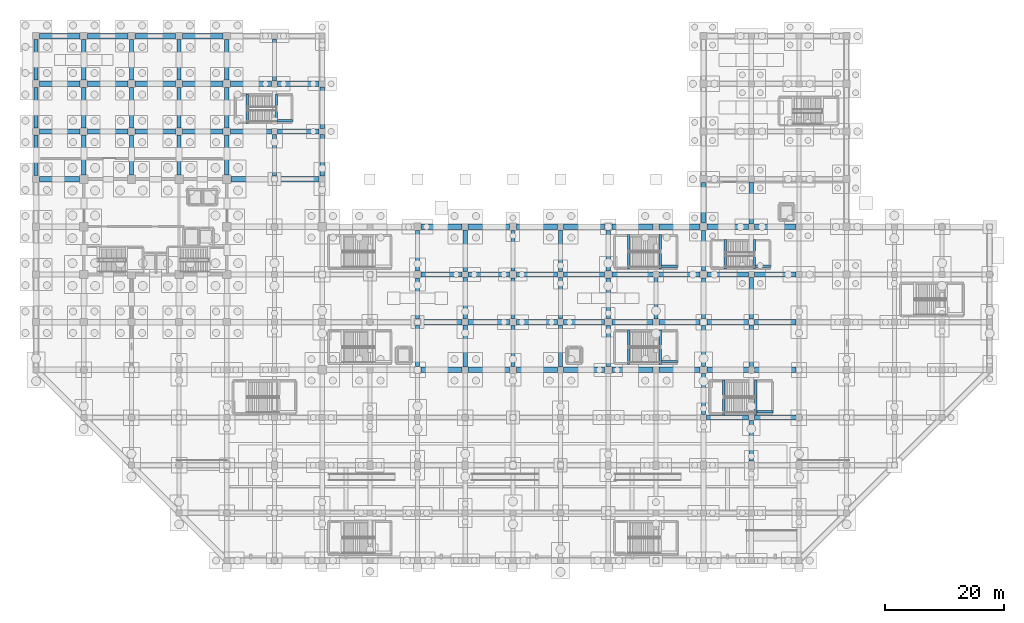
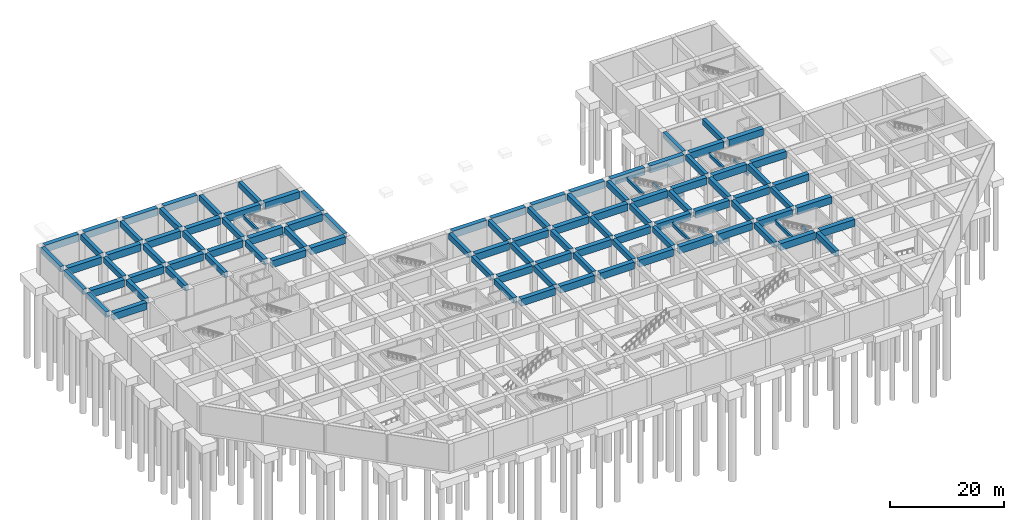
# One storey, part 12 of 26: 112 beams.
"""IFC4 building model written with IfcOpenShell, lengths in metres."""

from ifc_helpers import new_model, si_unit, direction, frame, origin, origin_2d, place, context, subcontext, project, spatial, rectangle, extrude, material, material_profile, profile_set, type_object, element, save


model = new_model("IFC4")

# Units and contexts
model_context = context("Model", 3, precision=1e-05, world=origin(), true_north=direction((0.0, 1.0)))
body_context = subcontext(model_context, "Body", "Model", "MODEL_VIEW")
ifc_project = project(units=[si_unit("LENGTHUNIT", "METRE"), si_unit("AREAUNIT", "SQUARE_METRE"), si_unit("VOLUMEUNIT", "CUBIC_METRE"), si_unit("PLANEANGLEUNIT", "RADIAN"), si_unit("MASSUNIT", "GRAM", prefix="KILO")], contexts=[model_context])

# Site, building, storey
site_placement = place(None, origin())
site = spatial("IfcSite", under=ifc_project, at=site_placement, CompositionType="ELEMENT")
building_placement = place(site_placement, origin())
building = spatial("IfcBuilding", under=site, at=building_placement, Name="Varnela Railside Interchange", CompositionType="ELEMENT")
storey_placement = place(building_placement, frame((0.0, 0.0, -12.60009765625)))
storey = spatial("IfcBuildingStorey", under=building, at=storey_placement, Name="B2", CompositionType="ELEMENT", Elevation=-12.60009765625)

# Beams
ifc_material_1 = material(Name="Concrete C40", Category="concrete")
ifc_material_profile_1 = material_profile(ifc_material_1, rectangle(XDim=0.39990234375, YDim=0.699951171875, at=origin_2d()), Name="RC 400x700")
ifc_profile_set_1 = profile_set([ifc_material_profile_1], Name="Concrete C40")
beam_type_1 = type_object("IfcBeamType", Name="Concrete Tie Beam B-01", PredefinedType="BEAM", material=ifc_profile_set_1)
for number, where, z_axis, x_axis, name in (
    (1, (119.60009765625, 54.919921875, 5.550048828125), (0.0, 1.0, 0.0), (-1.0, 0.0, 0.0), "Concrete Tie Beam B-01 (B2) (BM-0386)"),
    (2, (124.530029296875, 54.919921875, 2.64013671875), (0.0, 1.0, 0.0), (-1.0, 0.0, 0.0), "Concrete Tie Beam B-01 (B2) (BM-0372)"),
):
    element("IfcBeam", number, at=place(storey_placement, frame(where, z_axis=z_axis, x_axis=x_axis)), inside=storey, type_object=beam_type_1, Name=name, PredefinedType="BEAM", context=body_context, shape_type="SweptSolid", body=[
        extrude(rectangle(XDim=0.39990234375, YDim=0.699951171875, at=origin_2d()), origin(), (0.0, 0.0, 1.0), 4.9599609375),
    ])
beam_1_placement = place(storey_placement, frame((124.72998046875, 55.39990234375, 2.64013671875), z_axis=(1.0, 0.0, 0.0), x_axis=(0.0, 1.0, 0.0)))
element("IfcBeam", 3, at=beam_1_placement, inside=storey, type_object=beam_type_1, Name="Concrete Tie Beam B-01 (B2) (BM-0358)", PredefinedType="BEAM", context=body_context, shape_type="SweptSolid", body=[
    extrude(rectangle(XDim=0.39990234375, YDim=0.699951171875, at=origin_2d()), origin(), (0.0, 0.0, 1.0), 2.489990234375),
])
for number, where, z_axis, x_axis, name in (
    (4, (103.39990234375, 38.919921875, 5.550048828125), (0.0, 1.0, 0.0), (-1.0, 0.0, 0.0), "Concrete Tie Beam B-01 (B2) (BM-0383)"),
    (5, (108.7548828125, 38.919921875, 2.64013671875), (0.0, 1.0, 0.0), (-1.0, 0.0, 0.0), "Concrete Tie Beam B-01 (B2) (BM-0369)"),
):
    element("IfcBeam", number, at=place(storey_placement, frame(where, z_axis=z_axis, x_axis=x_axis)), inside=storey, type_object=beam_type_1, Name=name, PredefinedType="BEAM", context=body_context, shape_type="SweptSolid", body=[
        extrude(rectangle(XDim=0.39990234375, YDim=0.699951171875, at=origin_2d()), origin(), (0.0, 0.0, 1.0), 5.760009765625),
    ])
beam_2_placement = place(storey_placement, frame((108.955078125, 39.39990234375, 2.64013671875), z_axis=(1.0, 0.0, 0.0), x_axis=(0.0, 1.0, 0.0)))
element("IfcBeam", 6, at=beam_2_placement, inside=storey, type_object=beam_type_1, Name="Concrete Tie Beam B-01 (B2) (BM-0355)", PredefinedType="BEAM", context=body_context, shape_type="SweptSolid", body=[
    extrude(rectangle(XDim=0.39990234375, YDim=0.699951171875, at=origin_2d()), origin(), (0.0, 0.0, 1.0), 2.6650390625),
])
for number, where, z_axis, x_axis, name in (
    (7, (103.39990234375, 54.919921875, 5.550048828125), (0.0, 1.0, 0.0), (-1.0, 0.0, 0.0), "Concrete Tie Beam B-01 (B2) (BM-0385)"),
    (8, (108.7548828125, 54.919921875, 2.64013671875), (0.0, 1.0, 0.0), (-1.0, 0.0, 0.0), "Concrete Tie Beam B-01 (B2) (BM-0371)"),
):
    element("IfcBeam", number, at=place(storey_placement, frame(where, z_axis=z_axis, x_axis=x_axis)), inside=storey, type_object=beam_type_1, Name=name, PredefinedType="BEAM", context=body_context, shape_type="SweptSolid", body=[
        extrude(rectangle(XDim=0.39990234375, YDim=0.699951171875, at=origin_2d()), origin(), (0.0, 0.0, 1.0), 5.760009765625),
    ])
beam_3_placement = place(storey_placement, frame((108.955078125, 55.39990234375, 2.64013671875), z_axis=(1.0, 0.0, 0.0), x_axis=(0.0, 1.0, 0.0)))
element("IfcBeam", 9, at=beam_3_placement, inside=storey, type_object=beam_type_1, Name="Concrete Tie Beam B-01 (B2) (BM-0357)", PredefinedType="BEAM", context=body_context, shape_type="SweptSolid", body=[
    extrude(rectangle(XDim=0.39990234375, YDim=0.699951171875, at=origin_2d()), origin(), (0.0, 0.0, 1.0), 2.6650390625),
])
for number, where, z_axis, x_axis, name in (
    (10, (119.39990234375, 30.52001953125, 5.550048828125), (0.0, 1.0, 0.0), (-1.0, 0.0, 0.0), "Concrete Tie Beam B-01 (B2) (BM-0390)"),
    (11, (124.7548828125, 30.52001953125, 2.64013671875), (0.0, 1.0, 0.0), (-1.0, 0.0, 0.0), "Concrete Tie Beam B-01 (B2) (BM-0376)"),
):
    element("IfcBeam", number, at=place(storey_placement, frame(where, z_axis=z_axis, x_axis=x_axis)), inside=storey, type_object=beam_type_1, Name=name, PredefinedType="BEAM", context=body_context, shape_type="SweptSolid", body=[
        extrude(rectangle(XDim=0.39990234375, YDim=0.699951171875, at=origin_2d()), origin(), (0.0, 0.0, 1.0), 5.760009765625),
    ])
beam_4_placement = place(storey_placement, frame((124.955078125, 31.0, 2.64013671875), z_axis=(1.0, 0.0, 0.0), x_axis=(0.0, 1.0, 0.0)))
element("IfcBeam", 12, at=beam_4_placement, inside=storey, type_object=beam_type_1, Name="Concrete Tie Beam B-01 (B2) (BM-0362)", PredefinedType="BEAM", context=body_context, shape_type="SweptSolid", body=[
    extrude(rectangle(XDim=0.39990234375, YDim=0.699951171875, at=origin_2d()), origin(), (0.0, 0.0, 1.0), 2.6650390625),
])
for number, where, z_axis, x_axis, name in (
    (13, (39.39990234375, 79.320068359375, 5.550048828125), (0.0, 1.0, 0.0), (-1.0, 0.0, 0.0), "Concrete Tie Beam B-01 (B2) (BM-0394)"),
    (14, (44.330078125, 79.320068359375, 2.64013671875), (0.0, 1.0, 0.0), (-1.0, 0.0, 0.0), "Concrete Tie Beam B-01 (B2) (BM-0381)"),
):
    element("IfcBeam", number, at=place(storey_placement, frame(where, z_axis=z_axis, x_axis=x_axis)), inside=storey, type_object=beam_type_1, Name=name, PredefinedType="BEAM", context=body_context, shape_type="SweptSolid", body=[
        extrude(rectangle(XDim=0.39990234375, YDim=0.699951171875, at=origin_2d()), origin(), (0.0, 0.0, 1.0), 4.9599609375),
    ])
beam_5_placement = place(storey_placement, frame((44.530029296875, 79.800048828125, 2.64013671875), z_axis=(1.0, 0.0, 0.0), x_axis=(0.0, 1.0, 0.0)))
element("IfcBeam", 15, at=beam_5_placement, inside=storey, type_object=beam_type_1, Name="Concrete Tie Beam B-01 (B2) (BM-0367)", PredefinedType="BEAM", context=body_context, shape_type="SweptSolid", body=[
    extrude(rectangle(XDim=0.39990234375, YDim=0.699951171875, at=origin_2d()), origin(), (0.0, 0.0, 1.0), 2.489990234375),
])
ifc_material_2 = material(Name="Concrete C50", Category="concrete")
ifc_material_profile_2 = material_profile(ifc_material_2, rectangle(XDim=0.89990234375, YDim=1.5, at=origin_2d()), Name="RC 900x1500")
ifc_profile_set_2 = profile_set([ifc_material_profile_2], Name="Concrete C50")
beam_type_2 = type_object("IfcBeamType", Name="Metro Trackway Girder B-11", PredefinedType="BEAM", material=ifc_profile_set_2)
for number, where, z_axis, x_axis, name in (
    (16, (116.5, 30.0, 5.150146484375), (1.0, 0.0, 0.0), (0.0, 1.0, 0.0), "Metro Trackway Girder B-11 (B2) (BM-0068)"),
    (17, (124.5, 30.0, 5.150146484375), (1.0, 0.0, 0.0), (0.0, 1.0, 0.0), "Metro Trackway Girder B-11 (B2) (BM-0069)"),
):
    element("IfcBeam", number, at=place(storey_placement, frame(where, z_axis=z_axis, x_axis=x_axis)), inside=storey, type_object=beam_type_2, Name=name, PredefinedType="BEAM", context=body_context, shape_type="SweptSolid", body=[
        extrude(rectangle(XDim=0.89990234375, YDim=1.5, at=origin_2d()), origin(), (0.0, 0.0, 1.0), 7.0),
    ])
for number, where, z_axis, x_axis, name in (
    (18, (68.60009765625, 38.0, 5.150146484375), (1.0, 0.0, 0.0), (0.0, 1.0, 0.0), "Metro Trackway Girder B-11 (B2) (BM-0100)"),
    (19, (76.5, 38.0, 5.150146484375), (1.0, 0.0, 0.0), (0.0, 1.0, 0.0), "Metro Trackway Girder B-11 (B2) (BM-0101)"),
    (20, (84.60009765625, 38.0, 5.150146484375), (1.0, 0.0, 0.0), (0.0, 1.0, 0.0), "Metro Trackway Girder B-11 (B2) (BM-0102)"),
    (21, (92.5, 38.0, 5.150146484375), (1.0, 0.0, 0.0), (0.0, 1.0, 0.0), "Metro Trackway Girder B-11 (B2) (BM-0103)"),
    (22, (100.60009765625, 38.0, 5.150146484375), (1.0, 0.0, 0.0), (0.0, 1.0, 0.0), "Metro Trackway Girder B-11 (B2) (BM-0084)"),
    (23, (108.5, 38.0, 5.150146484375), (1.0, 0.0, 0.0), (0.0, 1.0, 0.0), "Metro Trackway Girder B-11 (B2) (BM-0085)"),
    (24, (116.60009765625, 38.0, 5.150146484375), (1.0, 0.0, 0.0), (0.0, 1.0, 0.0), "Metro Trackway Girder B-11 (B2) (BM-0086)"),
):
    element("IfcBeam", number, at=place(storey_placement, frame(where, z_axis=z_axis, x_axis=x_axis)), inside=storey, type_object=beam_type_2, Name=name, PredefinedType="BEAM", context=body_context, shape_type="SweptSolid", body=[
        extrude(rectangle(XDim=0.89990234375, YDim=1.5, at=origin_2d()), origin(), (0.0, 0.0, 1.0), 6.89990234375),
    ])
beam_6_placement = place(storey_placement, frame((124.5, 38.0, 5.150146484375), z_axis=(1.0, 0.0, 0.0), x_axis=(0.0, 1.0, 0.0)))
element("IfcBeam", 25, at=beam_6_placement, inside=storey, type_object=beam_type_2, Name="Metro Trackway Girder B-11 (B2) (BM-0087)", PredefinedType="BEAM", context=body_context, shape_type="SweptSolid", body=[
    extrude(rectangle(XDim=0.89990234375, YDim=1.5, at=origin_2d()), origin(), (0.0, 0.0, 1.0), 7.0),
])
for number, where, z_axis, x_axis, name in (
    (26, (68.60009765625, 46.0, 5.150146484375), (1.0, 0.0, 0.0), (0.0, 1.0, 0.0), "Metro Trackway Girder B-11 (B2) (BM-0120)"),
    (27, (76.5, 46.0, 5.150146484375), (1.0, 0.0, 0.0), (0.0, 1.0, 0.0), "Metro Trackway Girder B-11 (B2) (BM-0121)"),
    (28, (84.60009765625, 46.0, 5.150146484375), (1.0, 0.0, 0.0), (0.0, 1.0, 0.0), "Metro Trackway Girder B-11 (B2) (BM-0122)"),
    (29, (92.5, 46.0, 5.150146484375), (1.0, 0.0, 0.0), (0.0, 1.0, 0.0), "Metro Trackway Girder B-11 (B2) (BM-0123)"),
    (30, (100.60009765625, 46.0, 5.150146484375), (1.0, 0.0, 0.0), (0.0, 1.0, 0.0), "Metro Trackway Girder B-11 (B2) (BM-0104)"),
    (31, (108.5, 46.0, 5.150146484375), (1.0, 0.0, 0.0), (0.0, 1.0, 0.0), "Metro Trackway Girder B-11 (B2) (BM-0105)"),
    (32, (116.60009765625, 46.0, 5.150146484375), (1.0, 0.0, 0.0), (0.0, 1.0, 0.0), "Metro Trackway Girder B-11 (B2) (BM-0106)"),
):
    element("IfcBeam", number, at=place(storey_placement, frame(where, z_axis=z_axis, x_axis=x_axis)), inside=storey, type_object=beam_type_2, Name=name, PredefinedType="BEAM", context=body_context, shape_type="SweptSolid", body=[
        extrude(rectangle(XDim=0.89990234375, YDim=1.5, at=origin_2d()), origin(), (0.0, 0.0, 1.0), 6.89990234375),
    ])
beam_7_placement = place(storey_placement, frame((124.5, 46.0, 5.150146484375), z_axis=(1.0, 0.0, 0.0), x_axis=(0.0, 1.0, 0.0)))
element("IfcBeam", 33, at=beam_7_placement, inside=storey, type_object=beam_type_2, Name="Metro Trackway Girder B-11 (B2) (BM-0107)", PredefinedType="BEAM", context=body_context, shape_type="SweptSolid", body=[
    extrude(rectangle(XDim=0.89990234375, YDim=1.5, at=origin_2d()), origin(), (0.0, 0.0, 1.0), 7.0),
])
for number, where, z_axis, x_axis, name in (
    (34, (68.60009765625, 54.0, 5.150146484375), (1.0, 0.0, 0.0), (0.0, 1.0, 0.0), "Metro Trackway Girder B-11 (B2) (BM-0137)"),
    (35, (76.5, 54.0, 5.150146484375), (1.0, 0.0, 0.0), (0.0, 1.0, 0.0), "Metro Trackway Girder B-11 (B2) (BM-0138)"),
    (36, (84.60009765625, 54.0, 5.150146484375), (1.0, 0.0, 0.0), (0.0, 1.0, 0.0), "Metro Trackway Girder B-11 (B2) (BM-0139)"),
    (37, (92.5, 54.0, 5.150146484375), (1.0, 0.0, 0.0), (0.0, 1.0, 0.0), "Metro Trackway Girder B-11 (B2) (BM-0140)"),
    (38, (100.60009765625, 54.0, 5.150146484375), (1.0, 0.0, 0.0), (0.0, 1.0, 0.0), "Metro Trackway Girder B-11 (B2) (BM-0124)"),
    (39, (108.5, 54.0, 5.150146484375), (1.0, 0.0, 0.0), (0.0, 1.0, 0.0), "Metro Trackway Girder B-11 (B2) (BM-0125)"),
    (40, (116.60009765625, 54.0, 5.150146484375), (1.0, 0.0, 0.0), (0.0, 1.0, 0.0), "Metro Trackway Girder B-11 (B2) (BM-0126)"),
):
    element("IfcBeam", number, at=place(storey_placement, frame(where, z_axis=z_axis, x_axis=x_axis)), inside=storey, type_object=beam_type_2, Name=name, PredefinedType="BEAM", context=body_context, shape_type="SweptSolid", body=[
        extrude(rectangle(XDim=0.89990234375, YDim=1.5, at=origin_2d()), origin(), (0.0, 0.0, 1.0), 6.89990234375),
    ])
beam_8_placement = place(storey_placement, frame((124.5, 54.0, 5.150146484375), z_axis=(1.0, 0.0, 0.0), x_axis=(0.0, 1.0, 0.0)))
element("IfcBeam", 41, at=beam_8_placement, inside=storey, type_object=beam_type_2, Name="Metro Trackway Girder B-11 (B2) (BM-0127)", PredefinedType="BEAM", context=body_context, shape_type="SweptSolid", body=[
    extrude(rectangle(XDim=0.89990234375, YDim=1.5, at=origin_2d()), origin(), (0.0, 0.0, 1.0), 7.0),
])
for number, where, z_axis, x_axis, name in (
    (42, (68.60009765625, 62.0, 5.150146484375), (1.0, 0.0, 0.0), (0.0, 1.0, 0.0), "Metro Trackway Girder B-11 (B2) (BM-0154)"),
    (43, (76.5, 62.0, 5.150146484375), (1.0, 0.0, 0.0), (0.0, 1.0, 0.0), "Metro Trackway Girder B-11 (B2) (BM-0155)"),
    (44, (84.60009765625, 62.0, 5.150146484375), (1.0, 0.0, 0.0), (0.0, 1.0, 0.0), "Metro Trackway Girder B-11 (B2) (BM-0156)"),
    (45, (92.5, 62.0, 5.150146484375), (1.0, 0.0, 0.0), (0.0, 1.0, 0.0), "Metro Trackway Girder B-11 (B2) (BM-0157)"),
    (46, (100.60009765625, 62.0, 5.150146484375), (1.0, 0.0, 0.0), (0.0, 1.0, 0.0), "Metro Trackway Girder B-11 (B2) (BM-0141)"),
    (47, (108.5, 62.0, 5.150146484375), (1.0, 0.0, 0.0), (0.0, 1.0, 0.0), "Metro Trackway Girder B-11 (B2) (BM-0142)"),
    (48, (116.60009765625, 62.0, 5.150146484375), (1.0, 0.0, 0.0), (0.0, 1.0, 0.0), "Metro Trackway Girder B-11 (B2) (BM-0143)"),
):
    element("IfcBeam", number, at=place(storey_placement, frame(where, z_axis=z_axis, x_axis=x_axis)), inside=storey, type_object=beam_type_2, Name=name, PredefinedType="BEAM", context=body_context, shape_type="SweptSolid", body=[
        extrude(rectangle(XDim=0.89990234375, YDim=1.5, at=origin_2d()), origin(), (0.0, 0.0, 1.0), 6.89990234375),
    ])
beam_9_placement = place(storey_placement, frame((124.5, 62.0, 5.150146484375), z_axis=(1.0, 0.0, 0.0), x_axis=(0.0, 1.0, 0.0)))
element("IfcBeam", 49, at=beam_9_placement, inside=storey, type_object=beam_type_2, Name="Metro Trackway Girder B-11 (B2) (BM-0144)", PredefinedType="BEAM", context=body_context, shape_type="SweptSolid", body=[
    extrude(rectangle(XDim=0.89990234375, YDim=1.5, at=origin_2d()), origin(), (0.0, 0.0, 1.0), 7.0),
])
beam_10_placement = place(storey_placement, frame((4.60009765625, 70.0, 5.150146484375), z_axis=(1.0, 0.0, 0.0), x_axis=(0.0, 1.0, 0.0)))
element("IfcBeam", 50, at=beam_10_placement, inside=storey, type_object=beam_type_2, Name="Metro Trackway Girder B-11 (B2) (BM-0163)", PredefinedType="BEAM", context=body_context, shape_type="SweptSolid", body=[
    extrude(rectangle(XDim=0.89990234375, YDim=1.5, at=origin_2d()), origin(), (0.0, 0.0, 1.0), 6.699951171875),
])
beam_11_placement = place(storey_placement, frame((36.699951171875, 70.0, 5.150146484375), z_axis=(1.0, 0.0, 0.0), x_axis=(0.0, 1.0, 0.0)))
element("IfcBeam", 51, at=beam_11_placement, inside=storey, type_object=beam_type_2, Name="Metro Trackway Girder B-11 (B2) (BM-0161)", PredefinedType="BEAM", context=body_context, shape_type="SweptSolid", body=[
    extrude(rectangle(XDim=0.89990234375, YDim=1.5, at=origin_2d()), origin(), (0.0, 0.0, 1.0), 6.800048828125),
])
beam_12_placement = place(storey_placement, frame((44.5, 70.0, 5.150146484375), z_axis=(1.0, 0.0, 0.0), x_axis=(0.0, 1.0, 0.0)))
element("IfcBeam", 52, at=beam_12_placement, inside=storey, type_object=beam_type_2, Name="Metro Trackway Girder B-11 (B2) (BM-0162)", PredefinedType="BEAM", context=body_context, shape_type="SweptSolid", body=[
    extrude(rectangle(XDim=0.89990234375, YDim=1.5, at=origin_2d()), origin(), (0.0, 0.0, 1.0), 7.0),
])
for number, where, z_axis, x_axis, name in (
    (53, (4.60009765625, 78.0, 5.150146484375), (1.0, 0.0, 0.0), (0.0, 1.0, 0.0), "Metro Trackway Girder B-11 (B2) (BM-0172)"),
    (54, (12.60009765625, 78.0, 5.150146484375), (1.0, 0.0, 0.0), (0.0, 1.0, 0.0), "Metro Trackway Girder B-11 (B2) (BM-0166)"),
    (55, (20.60009765625, 78.0, 5.150146484375), (1.0, 0.0, 0.0), (0.0, 1.0, 0.0), "Metro Trackway Girder B-11 (B2) (BM-0168)"),
    (56, (28.60009765625, 78.0, 5.150146484375), (1.0, 0.0, 0.0), (0.0, 1.0, 0.0), "Metro Trackway Girder B-11 (B2) (BM-0169)"),
):
    element("IfcBeam", number, at=place(storey_placement, frame(where, z_axis=z_axis, x_axis=x_axis)), inside=storey, type_object=beam_type_2, Name=name, PredefinedType="BEAM", context=body_context, shape_type="SweptSolid", body=[
        extrude(rectangle(XDim=0.89990234375, YDim=1.5, at=origin_2d()), origin(), (0.0, 0.0, 1.0), 6.7998046875),
    ])
beam_13_placement = place(storey_placement, frame((36.60009765625, 78.0, 5.150146484375), z_axis=(1.0, 0.0, 0.0), x_axis=(0.0, 1.0, 0.0)))
element("IfcBeam", 57, at=beam_13_placement, inside=storey, type_object=beam_type_2, Name="Metro Trackway Girder B-11 (B2) (BM-0170)", PredefinedType="BEAM", context=body_context, shape_type="SweptSolid", body=[
    extrude(rectangle(XDim=0.89990234375, YDim=1.5, at=origin_2d()), origin(), (0.0, 0.0, 1.0), 6.89990234375),
])
beam_14_placement = place(storey_placement, frame((44.5, 78.0, 5.150146484375), z_axis=(1.0, 0.0, 0.0), x_axis=(0.0, 1.0, 0.0)))
element("IfcBeam", 58, at=beam_14_placement, inside=storey, type_object=beam_type_2, Name="Metro Trackway Girder B-11 (B2) (BM-0171)", PredefinedType="BEAM", context=body_context, shape_type="SweptSolid", body=[
    extrude(rectangle(XDim=0.89990234375, YDim=1.5, at=origin_2d()), origin(), (0.0, 0.0, 1.0), 7.0),
])
for number, where, z_axis, x_axis, name in (
    (59, (4.60009765625, 86.0, 5.150146484375), (1.0, 0.0, 0.0), (0.0, 1.0, 0.0), "Metro Trackway Girder B-11 (B2) (BM-0181)"),
    (60, (12.60009765625, 86.0, 5.150146484375), (1.0, 0.0, 0.0), (0.0, 1.0, 0.0), "Metro Trackway Girder B-11 (B2) (BM-0175)"),
    (61, (20.60009765625, 86.0, 5.150146484375), (1.0, 0.0, 0.0), (0.0, 1.0, 0.0), "Metro Trackway Girder B-11 (B2) (BM-0177)"),
    (62, (28.60009765625, 86.0, 5.150146484375), (1.0, 0.0, 0.0), (0.0, 1.0, 0.0), "Metro Trackway Girder B-11 (B2) (BM-0178)"),
):
    element("IfcBeam", number, at=place(storey_placement, frame(where, z_axis=z_axis, x_axis=x_axis)), inside=storey, type_object=beam_type_2, Name=name, PredefinedType="BEAM", context=body_context, shape_type="SweptSolid", body=[
        extrude(rectangle(XDim=0.89990234375, YDim=1.5, at=origin_2d()), origin(), (0.0, 0.0, 1.0), 6.7998046875),
    ])
beam_15_placement = place(storey_placement, frame((36.60009765625, 86.0, 5.150146484375), z_axis=(1.0, 0.0, 0.0), x_axis=(0.0, 1.0, 0.0)))
element("IfcBeam", 63, at=beam_15_placement, inside=storey, type_object=beam_type_2, Name="Metro Trackway Girder B-11 (B2) (BM-0179)", PredefinedType="BEAM", context=body_context, shape_type="SweptSolid", body=[
    extrude(rectangle(XDim=0.89990234375, YDim=1.5, at=origin_2d()), origin(), (0.0, 0.0, 1.0), 6.89990234375),
])
beam_16_placement = place(storey_placement, frame((44.5, 86.0, 5.150146484375), z_axis=(1.0, 0.0, 0.0), x_axis=(0.0, 1.0, 0.0)))
element("IfcBeam", 64, at=beam_16_placement, inside=storey, type_object=beam_type_2, Name="Metro Trackway Girder B-11 (B2) (BM-0180)", PredefinedType="BEAM", context=body_context, shape_type="SweptSolid", body=[
    extrude(rectangle(XDim=0.89990234375, YDim=1.5, at=origin_2d()), origin(), (0.0, 0.0, 1.0), 7.0),
])
for number, where, z_axis, x_axis, name in (
    (65, (4.60009765625, 94.0, 5.150146484375), (1.0, 0.0, 0.0), (0.0, 1.0, 0.0), "Metro Trackway Girder B-11 (B2) (BM-0190)"),
    (66, (12.60009765625, 94.0, 5.150146484375), (1.0, 0.0, 0.0), (0.0, 1.0, 0.0), "Metro Trackway Girder B-11 (B2) (BM-0184)"),
    (67, (20.60009765625, 94.0, 5.150146484375), (1.0, 0.0, 0.0), (0.0, 1.0, 0.0), "Metro Trackway Girder B-11 (B2) (BM-0186)"),
    (68, (28.60009765625, 94.0, 5.150146484375), (1.0, 0.0, 0.0), (0.0, 1.0, 0.0), "Metro Trackway Girder B-11 (B2) (BM-0187)"),
):
    element("IfcBeam", number, at=place(storey_placement, frame(where, z_axis=z_axis, x_axis=x_axis)), inside=storey, type_object=beam_type_2, Name=name, PredefinedType="BEAM", context=body_context, shape_type="SweptSolid", body=[
        extrude(rectangle(XDim=0.89990234375, YDim=1.5, at=origin_2d()), origin(), (0.0, 0.0, 1.0), 6.7998046875),
    ])
ifc_material_profile_3 = material_profile(ifc_material_2, rectangle(XDim=0.699951171875, YDim=1.199951171875, at=origin_2d()), Name="RC 700x1200")
ifc_profile_set_3 = profile_set([ifc_material_profile_3], Name="Concrete C50")
beam_type_3 = type_object("IfcBeamType", Name="Station Box Main Girder B-08", PredefinedType="BEAM", material=ifc_profile_set_3)
for number, where, z_axis, x_axis, name in (
    (69, (4.0, 70.60009765625, 5.300048828125), (0.0, 1.0, 0.0), (-1.0, 0.0, 0.0), "Station Box Main Girder B-08 (B2) (BM-0270)"),
    (70, (4.0, 78.60009765625, 5.300048828125), (0.0, 1.0, 0.0), (-1.0, 0.0, 0.0), "Station Box Main Girder B-08 (B2) (BM-0271)"),
    (71, (4.0, 86.60009765625, 5.300048828125), (0.0, 1.0, 0.0), (-1.0, 0.0, 0.0), "Station Box Main Girder B-08 (B2) (BM-0272)"),
):
    element("IfcBeam", number, at=place(storey_placement, frame(where, z_axis=z_axis, x_axis=x_axis)), inside=storey, type_object=beam_type_3, Name=name, PredefinedType="BEAM", context=body_context, shape_type="SweptSolid", body=[
        extrude(rectangle(XDim=0.699951171875, YDim=1.199951171875, at=origin_2d()), origin(), (0.0, 0.0, 1.0), 6.7998046875),
    ])
beam_17_placement = place(storey_placement, frame((12.0, 70.699951171875, 5.300048828125), z_axis=(0.0, 1.0, 0.0), x_axis=(-1.0, 0.0, 0.0)))
element("IfcBeam", 72, at=beam_17_placement, inside=storey, type_object=beam_type_3, Name="Station Box Main Girder B-08 (B2) (BM-0282)", PredefinedType="BEAM", context=body_context, shape_type="SweptSolid", body=[
    extrude(rectangle(XDim=0.699951171875, YDim=1.199951171875, at=origin_2d()), origin(), (0.0, 0.0, 1.0), 6.699951171875),
])
for number, where, z_axis, x_axis, name in (
    (73, (12.0, 78.60009765625, 5.300048828125), (0.0, 1.0, 0.0), (-1.0, 0.0, 0.0), "Station Box Main Girder B-08 (B2) (BM-0283)"),
    (74, (12.0, 86.60009765625, 5.300048828125), (0.0, 1.0, 0.0), (-1.0, 0.0, 0.0), "Station Box Main Girder B-08 (B2) (BM-0284)"),
):
    element("IfcBeam", number, at=place(storey_placement, frame(where, z_axis=z_axis, x_axis=x_axis)), inside=storey, type_object=beam_type_3, Name=name, PredefinedType="BEAM", context=body_context, shape_type="SweptSolid", body=[
        extrude(rectangle(XDim=0.699951171875, YDim=1.199951171875, at=origin_2d()), origin(), (0.0, 0.0, 1.0), 6.7998046875),
    ])
beam_18_placement = place(storey_placement, frame((20.0, 70.699951171875, 5.300048828125), z_axis=(0.0, 1.0, 0.0), x_axis=(-1.0, 0.0, 0.0)))
element("IfcBeam", 75, at=beam_18_placement, inside=storey, type_object=beam_type_3, Name="Station Box Main Girder B-08 (B2) (BM-0289)", PredefinedType="BEAM", context=body_context, shape_type="SweptSolid", body=[
    extrude(rectangle(XDim=0.699951171875, YDim=1.199951171875, at=origin_2d()), origin(), (0.0, 0.0, 1.0), 6.699951171875),
])
for number, where, z_axis, x_axis, name in (
    (76, (20.0, 78.60009765625, 5.300048828125), (0.0, 1.0, 0.0), (-1.0, 0.0, 0.0), "Station Box Main Girder B-08 (B2) (BM-0290)"),
    (77, (20.0, 86.60009765625, 5.300048828125), (0.0, 1.0, 0.0), (-1.0, 0.0, 0.0), "Station Box Main Girder B-08 (B2) (BM-0291)"),
):
    element("IfcBeam", number, at=place(storey_placement, frame(where, z_axis=z_axis, x_axis=x_axis)), inside=storey, type_object=beam_type_3, Name=name, PredefinedType="BEAM", context=body_context, shape_type="SweptSolid", body=[
        extrude(rectangle(XDim=0.699951171875, YDim=1.199951171875, at=origin_2d()), origin(), (0.0, 0.0, 1.0), 6.7998046875),
    ])
beam_19_placement = place(storey_placement, frame((28.0, 70.699951171875, 5.300048828125), z_axis=(0.0, 1.0, 0.0), x_axis=(-1.0, 0.0, 0.0)))
element("IfcBeam", 78, at=beam_19_placement, inside=storey, type_object=beam_type_3, Name="Station Box Main Girder B-08 (B2) (BM-0298)", PredefinedType="BEAM", context=body_context, shape_type="SweptSolid", body=[
    extrude(rectangle(XDim=0.699951171875, YDim=1.199951171875, at=origin_2d()), origin(), (0.0, 0.0, 1.0), 6.699951171875),
])
for number, where, z_axis, x_axis, name in (
    (79, (28.0, 78.60009765625, 5.300048828125), (0.0, 1.0, 0.0), (-1.0, 0.0, 0.0), "Station Box Main Girder B-08 (B2) (BM-0299)"),
    (80, (28.0, 86.60009765625, 5.300048828125), (0.0, 1.0, 0.0), (-1.0, 0.0, 0.0), "Station Box Main Girder B-08 (B2) (BM-0300)"),
):
    element("IfcBeam", number, at=place(storey_placement, frame(where, z_axis=z_axis, x_axis=x_axis)), inside=storey, type_object=beam_type_3, Name=name, PredefinedType="BEAM", context=body_context, shape_type="SweptSolid", body=[
        extrude(rectangle(XDim=0.699951171875, YDim=1.199951171875, at=origin_2d()), origin(), (0.0, 0.0, 1.0), 6.7998046875),
    ])
beam_20_placement = place(storey_placement, frame((36.0, 70.699951171875, 5.300048828125), z_axis=(0.0, 1.0, 0.0), x_axis=(-1.0, 0.0, 0.0)))
element("IfcBeam", 81, at=beam_20_placement, inside=storey, type_object=beam_type_3, Name="Station Box Main Girder B-08 (B2) (BM-0307)", PredefinedType="BEAM", context=body_context, shape_type="SweptSolid", body=[
    extrude(rectangle(XDim=0.699951171875, YDim=1.199951171875, at=origin_2d()), origin(), (0.0, 0.0, 1.0), 6.699951171875),
])
for number, where, z_axis, x_axis, name in (
    (82, (36.0, 78.60009765625, 5.300048828125), (0.0, 1.0, 0.0), (-1.0, 0.0, 0.0), "Station Box Main Girder B-08 (B2) (BM-0308)"),
    (83, (36.0, 86.60009765625, 5.300048828125), (0.0, 1.0, 0.0), (-1.0, 0.0, 0.0), "Station Box Main Girder B-08 (B2) (BM-0309)"),
):
    element("IfcBeam", number, at=place(storey_placement, frame(where, z_axis=z_axis, x_axis=x_axis)), inside=storey, type_object=beam_type_3, Name=name, PredefinedType="BEAM", context=body_context, shape_type="SweptSolid", body=[
        extrude(rectangle(XDim=0.699951171875, YDim=1.199951171875, at=origin_2d()), origin(), (0.0, 0.0, 1.0), 6.7998046875),
    ])
for number, where, z_axis, x_axis, name in (
    (84, (44.0, 70.5, 5.300048828125), (0.0, 1.0, 0.0), (-1.0, 0.0, 0.0), "Station Box Main Girder B-08 (B2) (BM-0317)"),
    (85, (44.0, 86.5, 5.300048828125), (0.0, 1.0, 0.0), (-1.0, 0.0, 0.0), "Station Box Main Girder B-08 (B2) (BM-0318)"),
    (86, (52.0, 70.5, 5.300048828125), (0.0, 1.0, 0.0), (-1.0, 0.0, 0.0), "Station Box Main Girder B-08 (B2) (BM-0327)"),
    (87, (52.0, 78.5, 5.300048828125), (0.0, 1.0, 0.0), (-1.0, 0.0, 0.0), "Station Box Main Girder B-08 (B2) (BM-0328)"),
):
    element("IfcBeam", number, at=place(storey_placement, frame(where, z_axis=z_axis, x_axis=x_axis)), inside=storey, type_object=beam_type_3, Name=name, PredefinedType="BEAM", context=body_context, shape_type="SweptSolid", body=[
        extrude(rectangle(XDim=0.699951171875, YDim=1.199951171875, at=origin_2d()), origin(), (0.0, 0.0, 1.0), 7.0),
    ])
for number, where, z_axis, x_axis, name in (
    (88, (68.0, 38.60009765625, 5.300048828125), (0.0, 1.0, 0.0), (-1.0, 0.0, 0.0), "Station Box Main Girder B-08 (B2) (BM-0336)"),
    (89, (68.0, 46.60009765625, 5.300048828125), (0.0, 1.0, 0.0), (-1.0, 0.0, 0.0), "Station Box Main Girder B-08 (B2) (BM-0337)"),
    (90, (68.0, 54.60009765625, 5.300048828125), (0.0, 1.0, 0.0), (-1.0, 0.0, 0.0), "Station Box Main Girder B-08 (B2) (BM-0338)"),
):
    element("IfcBeam", number, at=place(storey_placement, frame(where, z_axis=z_axis, x_axis=x_axis)), inside=storey, type_object=beam_type_3, Name=name, PredefinedType="BEAM", context=body_context, shape_type="SweptSolid", body=[
        extrude(rectangle(XDim=0.699951171875, YDim=1.199951171875, at=origin_2d()), origin(), (0.0, 0.0, 1.0), 6.7998046875),
    ])
for number, where, z_axis, x_axis, name in (
    (91, (76.0, 38.5, 5.300048828125), (0.0, 1.0, 0.0), (-1.0, 0.0, 0.0), "Station Box Main Girder B-08 (B2) (BM-0194)"),
    (92, (76.0, 46.5, 5.300048828125), (0.0, 1.0, 0.0), (-1.0, 0.0, 0.0), "Station Box Main Girder B-08 (B2) (BM-0195)"),
    (93, (76.0, 54.5, 5.300048828125), (0.0, 1.0, 0.0), (-1.0, 0.0, 0.0), "Station Box Main Girder B-08 (B2) (BM-0196)"),
):
    element("IfcBeam", number, at=place(storey_placement, frame(where, z_axis=z_axis, x_axis=x_axis)), inside=storey, type_object=beam_type_3, Name=name, PredefinedType="BEAM", context=body_context, shape_type="SweptSolid", body=[
        extrude(rectangle(XDim=0.699951171875, YDim=1.199951171875, at=origin_2d()), origin(), (0.0, 0.0, 1.0), 7.0),
    ])
for number, where, z_axis, x_axis, name in (
    (94, (84.0, 38.60009765625, 5.300048828125), (0.0, 1.0, 0.0), (-1.0, 0.0, 0.0), "Station Box Main Girder B-08 (B2) (BM-0200)"),
    (95, (84.0, 46.60009765625, 5.300048828125), (0.0, 1.0, 0.0), (-1.0, 0.0, 0.0), "Station Box Main Girder B-08 (B2) (BM-0201)"),
    (96, (84.0, 54.60009765625, 5.300048828125), (0.0, 1.0, 0.0), (-1.0, 0.0, 0.0), "Station Box Main Girder B-08 (B2) (BM-0202)"),
):
    element("IfcBeam", number, at=place(storey_placement, frame(where, z_axis=z_axis, x_axis=x_axis)), inside=storey, type_object=beam_type_3, Name=name, PredefinedType="BEAM", context=body_context, shape_type="SweptSolid", body=[
        extrude(rectangle(XDim=0.699951171875, YDim=1.199951171875, at=origin_2d()), origin(), (0.0, 0.0, 1.0), 6.7998046875),
    ])
for number, where, z_axis, x_axis, name in (
    (97, (92.0, 38.5, 5.300048828125), (0.0, 1.0, 0.0), (-1.0, 0.0, 0.0), "Station Box Main Girder B-08 (B2) (BM-0207)"),
    (98, (92.0, 46.5, 5.300048828125), (0.0, 1.0, 0.0), (-1.0, 0.0, 0.0), "Station Box Main Girder B-08 (B2) (BM-0208)"),
    (99, (92.0, 54.5, 5.300048828125), (0.0, 1.0, 0.0), (-1.0, 0.0, 0.0), "Station Box Main Girder B-08 (B2) (BM-0209)"),
):
    element("IfcBeam", number, at=place(storey_placement, frame(where, z_axis=z_axis, x_axis=x_axis)), inside=storey, type_object=beam_type_3, Name=name, PredefinedType="BEAM", context=body_context, shape_type="SweptSolid", body=[
        extrude(rectangle(XDim=0.699951171875, YDim=1.199951171875, at=origin_2d()), origin(), (0.0, 0.0, 1.0), 7.0),
    ])
for number, where, z_axis, x_axis, name in (
    (100, (100.0, 38.60009765625, 5.300048828125), (0.0, 1.0, 0.0), (-1.0, 0.0, 0.0), "Station Box Main Girder B-08 (B2) (BM-0214)"),
    (101, (100.0, 46.60009765625, 5.300048828125), (0.0, 1.0, 0.0), (-1.0, 0.0, 0.0), "Station Box Main Girder B-08 (B2) (BM-0215)"),
    (102, (100.0, 54.60009765625, 5.300048828125), (0.0, 1.0, 0.0), (-1.0, 0.0, 0.0), "Station Box Main Girder B-08 (B2) (BM-0216)"),
):
    element("IfcBeam", number, at=place(storey_placement, frame(where, z_axis=z_axis, x_axis=x_axis)), inside=storey, type_object=beam_type_3, Name=name, PredefinedType="BEAM", context=body_context, shape_type="SweptSolid", body=[
        extrude(rectangle(XDim=0.699951171875, YDim=1.199951171875, at=origin_2d()), origin(), (0.0, 0.0, 1.0), 6.7998046875),
    ])
beam_21_placement = place(storey_placement, frame((108.0, 46.5, 5.300048828125), z_axis=(0.0, 1.0, 0.0), x_axis=(-1.0, 0.0, 0.0)))
element("IfcBeam", 103, at=beam_21_placement, inside=storey, type_object=beam_type_3, Name="Station Box Main Girder B-08 (B2) (BM-0220)", PredefinedType="BEAM", context=body_context, shape_type="SweptSolid", body=[
    extrude(rectangle(XDim=0.699951171875, YDim=1.199951171875, at=origin_2d()), origin(), (0.0, 0.0, 1.0), 7.0),
])
beam_22_placement = place(storey_placement, frame((116.0, 30.5, 5.300048828125), z_axis=(0.0, 1.0, 0.0), x_axis=(-1.0, 0.0, 0.0)))
element("IfcBeam", 104, at=beam_22_placement, inside=storey, type_object=beam_type_3, Name="Station Box Main Girder B-08 (B2) (BM-0223)", PredefinedType="BEAM", context=body_context, shape_type="SweptSolid", body=[
    extrude(rectangle(XDim=0.699951171875, YDim=1.199951171875, at=origin_2d()), origin(), (0.0, 0.0, 1.0), 6.89990234375),
])
for number, where, z_axis, x_axis, name in (
    (105, (116.0, 38.60009765625, 5.300048828125), (0.0, 1.0, 0.0), (-1.0, 0.0, 0.0), "Station Box Main Girder B-08 (B2) (BM-0224)"),
    (106, (116.0, 46.60009765625, 5.300048828125), (0.0, 1.0, 0.0), (-1.0, 0.0, 0.0), "Station Box Main Girder B-08 (B2) (BM-0225)"),
    (107, (116.0, 54.60009765625, 5.300048828125), (0.0, 1.0, 0.0), (-1.0, 0.0, 0.0), "Station Box Main Girder B-08 (B2) (BM-0226)"),
    (108, (116.0, 62.60009765625, 5.300048828125), (0.0, 1.0, 0.0), (-1.0, 0.0, 0.0), "Station Box Main Girder B-08 (B2) (BM-0227)"),
):
    element("IfcBeam", number, at=place(storey_placement, frame(where, z_axis=z_axis, x_axis=x_axis)), inside=storey, type_object=beam_type_3, Name=name, PredefinedType="BEAM", context=body_context, shape_type="SweptSolid", body=[
        extrude(rectangle(XDim=0.699951171875, YDim=1.199951171875, at=origin_2d()), origin(), (0.0, 0.0, 1.0), 6.7998046875),
    ])
beam_23_placement = place(storey_placement, frame((124.0, 22.699951171875, 5.300048828125), z_axis=(0.0, 1.0, 0.0), x_axis=(-1.0, 0.0, 0.0)))
element("IfcBeam", 109, at=beam_23_placement, inside=storey, type_object=beam_type_3, Name="Station Box Main Girder B-08 (B2) (BM-0233)", PredefinedType="BEAM", context=body_context, shape_type="SweptSolid", body=[
    extrude(rectangle(XDim=0.699951171875, YDim=1.199951171875, at=origin_2d()), origin(), (0.0, 0.0, 1.0), 6.800048828125),
])
for number, where, z_axis, x_axis, name in (
    (110, (124.0, 38.5, 5.300048828125), (0.0, 1.0, 0.0), (-1.0, 0.0, 0.0), "Station Box Main Girder B-08 (B2) (BM-0234)"),
    (111, (124.0, 46.5, 5.300048828125), (0.0, 1.0, 0.0), (-1.0, 0.0, 0.0), "Station Box Main Girder B-08 (B2) (BM-0235)"),
    (112, (124.0, 62.5, 5.300048828125), (0.0, 1.0, 0.0), (-1.0, 0.0, 0.0), "Station Box Main Girder B-08 (B2) (BM-0236)"),
):
    element("IfcBeam", number, at=place(storey_placement, frame(where, z_axis=z_axis, x_axis=x_axis)), inside=storey, type_object=beam_type_3, Name=name, PredefinedType="BEAM", context=body_context, shape_type="SweptSolid", body=[
        extrude(rectangle(XDim=0.699951171875, YDim=1.199951171875, at=origin_2d()), origin(), (0.0, 0.0, 1.0), 7.0),
    ])

save(model, "model.ifc")
